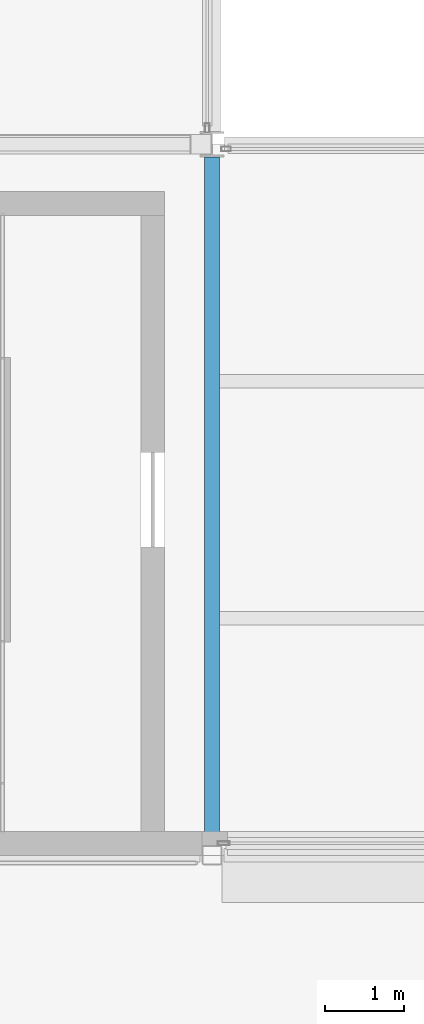
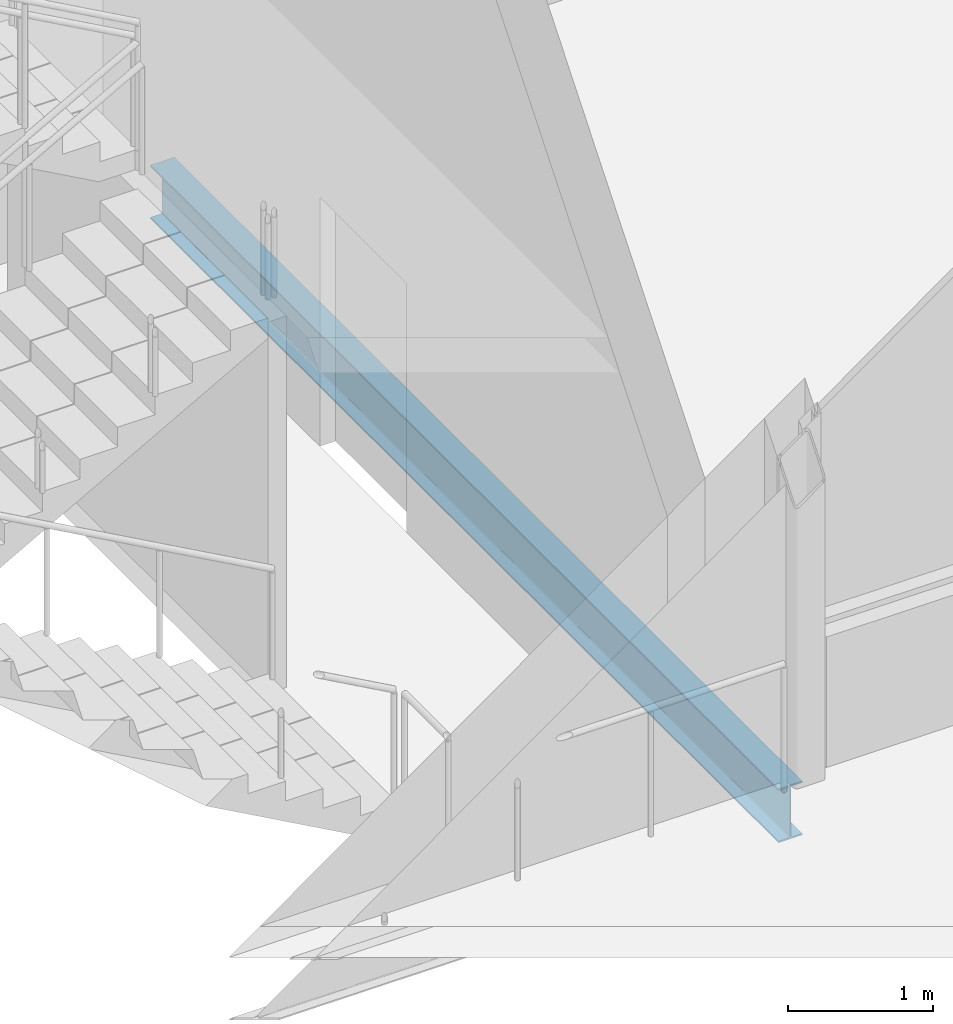
# One storey, part 14 of 111: 1 beam.
"""IFC4 building model written with IfcOpenShell, lengths in metres."""

from ifc_helpers import new_model, si_unit, direction, frame, origin, origin_2d, place, context, subcontext, project, spatial, i_section, extrude, material, material_profile, profile_set, type_object, element, save


model = new_model("IFC4")

# Units and contexts
model_context = context("Model", 3, precision=1e-05, world=origin(), true_north=direction((0.0, 1.0)))
body_context = subcontext(model_context, "Body", "Model", "MODEL_VIEW")
ifc_project = project(units=[si_unit("LENGTHUNIT", "METRE"), si_unit("AREAUNIT", "SQUARE_METRE"), si_unit("VOLUMEUNIT", "CUBIC_METRE"), si_unit("PLANEANGLEUNIT", "RADIAN"), si_unit("MASSUNIT", "GRAM", prefix="KILO")], contexts=[model_context])

# Site, building, storey
site_placement = place(None, origin())
site = spatial("IfcSite", under=ifc_project, at=site_placement, CompositionType="ELEMENT")
building_placement = place(site_placement, origin())
building = spatial("IfcBuilding", under=site, at=building_placement, Name="Shorebreak Coast Museum", CompositionType="ELEMENT")
storey_placement = place(building_placement, frame((0.0, 0.0, 16.0)))
storey = spatial("IfcBuildingStorey", under=building, at=storey_placement, Name="L03", CompositionType="ELEMENT", Elevation=16.0)

# Beam
ifc_material = material(Name="Steel Grade 300", Category="steel")
ifc_material_profile = material_profile(ifc_material, i_section(OverallWidth=0.18994140625, OverallDepth=0.453857421875, WebThickness=0.008544921875, FlangeThickness=0.0126953125, FilletRadius=0.011474609375, at=origin_2d()), Name="460UB67.1")
ifc_profile_set = profile_set([ifc_material_profile], Name="Steel Grade 300")
beam_type = type_object("IfcBeamType", Name="Floor girder north-south 460UB67.1", PredefinedType="BEAM", material=ifc_profile_set)
beam_placement = place(storey_placement, frame((63.0, 54.1572265625, -0.40185546875), z_axis=(0.0, 1.0, 0.0), x_axis=(-1.0, 0.0, 0.0)))
element("IfcBeam", 1, at=beam_placement, inside=storey, type_object=beam_type, Name="Floor girder north-south L03 8G", PredefinedType="BEAM", context=body_context, shape_type="SweptSolid", body=[
    extrude(i_section(OverallWidth=0.18994140625, OverallDepth=0.453857421875, WebThickness=0.008544921875, FlangeThickness=0.0126953125, FilletRadius=0.011474609375, at=origin_2d()), origin(), (0.0, 0.0, 1.0), 8.67919921875),
])

save(model, "model.ifc")
